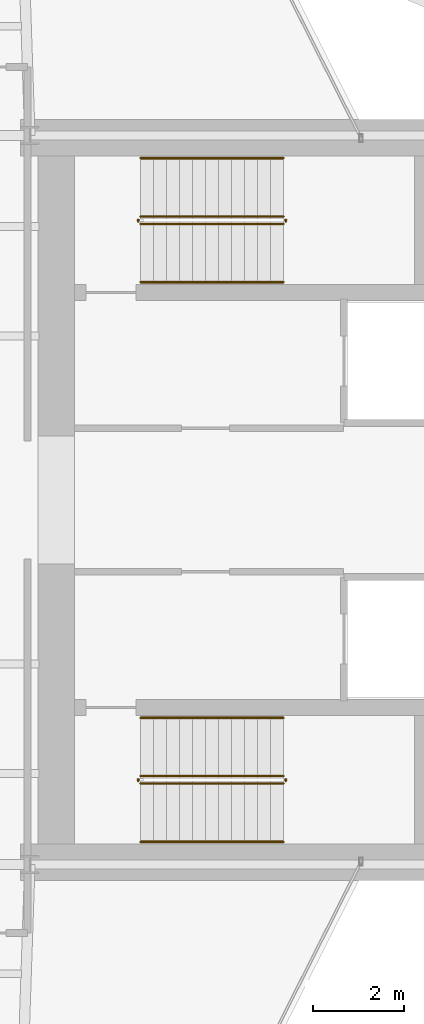
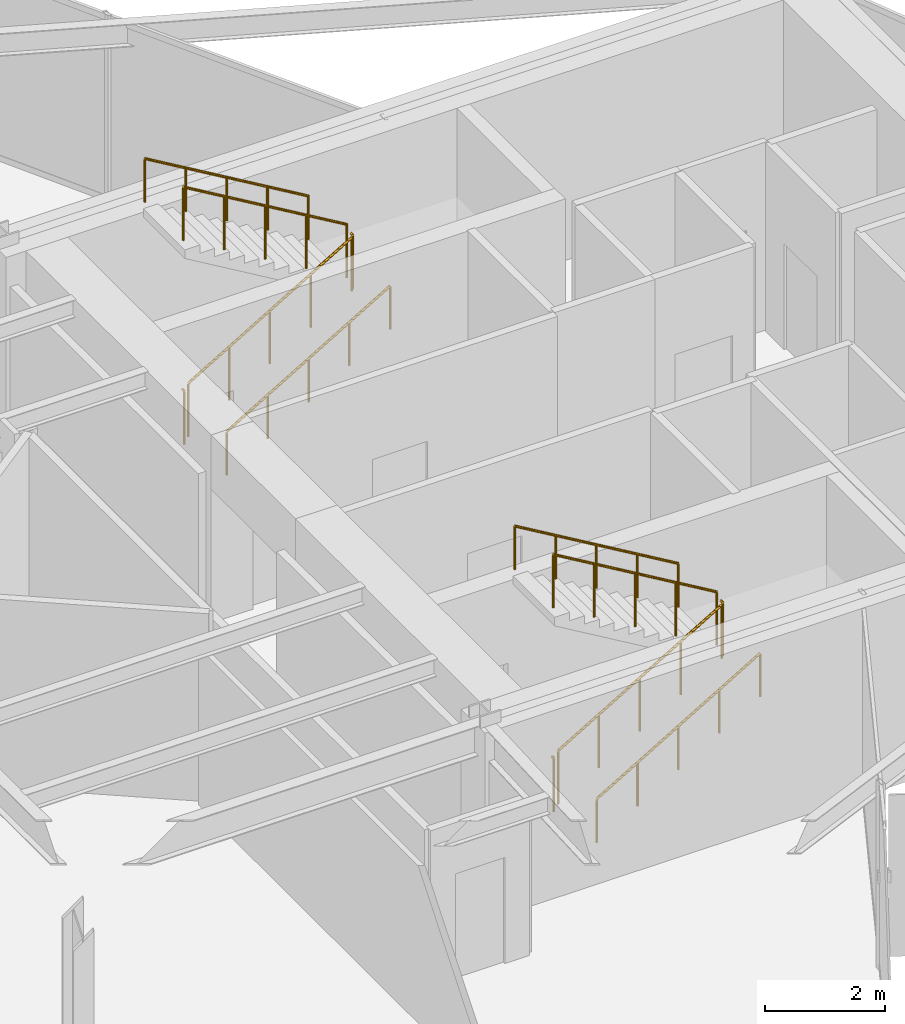
# One storey, part 25 of 25: 12 railings.
"""IFC4 building model written with IfcOpenShell, lengths in metres."""

from ifc_helpers import new_model, si_unit, direction, frame, origin, origin_2d, place, context, subcontext, project, spatial, circle, extrude, material, type_object, element, save


model = new_model("IFC4")

# Units and contexts
model_context = context("Model", 3, precision=1e-05, world=origin(), true_north=direction((0.0, 1.0)))
body_context = subcontext(model_context, "Body", "Model", "MODEL_VIEW")
ifc_project = project(units=[si_unit("LENGTHUNIT", "METRE"), si_unit("AREAUNIT", "SQUARE_METRE"), si_unit("VOLUMEUNIT", "CUBIC_METRE"), si_unit("PLANEANGLEUNIT", "RADIAN"), si_unit("MASSUNIT", "GRAM", prefix="KILO")], contexts=[model_context])

# Site, building, storey
site_placement = place(None, origin())
site = spatial("IfcSite", under=ifc_project, at=site_placement, CompositionType="ELEMENT")
building_placement = place(site_placement, origin())
building = spatial("IfcBuilding", under=site, at=building_placement, Name="Veymaron Broadcast Tower", CompositionType="ELEMENT")
storey_placement = place(building_placement, frame((0.0, 0.0, 129.0)))
storey = spatial("IfcBuildingStorey", under=building, at=storey_placement, Name="L29", CompositionType="ELEMENT", Elevation=129.0)

# Railings
ifc_material_1 = material(Name="Brushed stainless steel AISI 304", Category="steel")
railing_type_1 = type_object("IfcRailingType", Name="RAIL-STAIR-HR", PredefinedType="HANDRAIL", material=ifc_material_1)
railing_1_placement = place(storey_placement, frame((41.429931640625, 28.780029296875, 0.168701171875)))
element("IfcRailing", 1, at=railing_1_placement, inside=storey, type_object=railing_type_1, Name="L29 ST1 stair handrail 1", PredefinedType="HANDRAIL", context=body_context, shape_type="SweptSolid", body=[
    extrude(circle(Radius=0.02392578125, at=origin_2d()), frame((0.0, 0.0, 0.8759765625), z_axis=(0.860481960309, 0.0, 0.509480908359), x_axis=(0.0, 1.0, 0.0)), (0.0, 0.0, 1.0), 3.643310546875),
    extrude(circle(Radius=0.02099609375, at=origin_2d()), origin(), (0.0, 0.0, 1.0), 0.851806640625),
    extrude(circle(Radius=0.02099609375, at=origin_2d()), frame((0.78369140625, 0.0, 0.464111328125)), (0.0, 0.0, 1.0), 0.851806640625),
    extrude(circle(Radius=0.02099609375, at=origin_2d()), frame((1.5673828125, 0.0, 0.92822265625)), (0.0, 0.0, 1.0), 0.851806640625),
    extrude(circle(Radius=0.02099609375, at=origin_2d()), frame((2.351318359375, 0.0, 1.39208984375)), (0.0, 0.0, 1.0), 0.851806640625),
    extrude(circle(Radius=0.02099609375, at=origin_2d()), frame((3.135009765625, 0.0, 1.856201171875)), (0.0, 0.0, 1.0), 0.851806640625),
])
railing_2_placement = place(storey_placement, frame((44.56494140625, 31.5, 2.19384765625)))
element("IfcRailing", 2, at=railing_2_placement, inside=storey, type_object=railing_type_1, Name="L29 ST1 stair handrail 2", PredefinedType="HANDRAIL", context=body_context, shape_type="SweptSolid", body=[
    extrude(circle(Radius=0.02392578125, at=origin_2d()), frame((0.0, 0.0, 0.8759765625), z_axis=(-0.860481960309, 0.0, 0.509480908359), x_axis=(0.0, -1.0, 0.0)), (0.0, 0.0, 1.0), 3.643310546875),
    extrude(circle(Radius=0.02099609375, at=origin_2d()), origin(), (0.0, 0.0, 1.0), 0.851806640625),
    extrude(circle(Radius=0.02099609375, at=origin_2d()), frame((-0.78369140625, 0.0, 0.464111328125)), (0.0, 0.0, 1.0), 0.851806640625),
    extrude(circle(Radius=0.02099609375, at=origin_2d()), frame((-1.5673828125, 0.0, 0.92822265625)), (0.0, 0.0, 1.0), 0.851806640625),
    extrude(circle(Radius=0.02099609375, at=origin_2d()), frame((-2.351318359375, 0.0, 1.39208984375)), (0.0, 0.0, 1.0), 0.851806640625),
    extrude(circle(Radius=0.02099609375, at=origin_2d()), frame((-3.135009765625, 0.0, 1.856201171875)), (0.0, 0.0, 1.0), 0.851806640625),
])
railing_3_placement = place(storey_placement, frame((41.429931640625, 16.5, 0.168701171875)))
element("IfcRailing", 3, at=railing_3_placement, inside=storey, type_object=railing_type_1, Name="L29 ST2 stair handrail 1", PredefinedType="HANDRAIL", context=body_context, shape_type="SweptSolid", body=[
    extrude(circle(Radius=0.02392578125, at=origin_2d()), frame((0.0, 0.0, 0.8759765625), z_axis=(0.860481960309, 0.0, 0.509480908359), x_axis=(0.0, 1.0, 0.0)), (0.0, 0.0, 1.0), 3.643310546875),
    extrude(circle(Radius=0.02099609375, at=origin_2d()), origin(), (0.0, 0.0, 1.0), 0.851806640625),
    extrude(circle(Radius=0.02099609375, at=origin_2d()), frame((0.78369140625, 0.0, 0.464111328125)), (0.0, 0.0, 1.0), 0.851806640625),
    extrude(circle(Radius=0.02099609375, at=origin_2d()), frame((1.5673828125, 0.0, 0.92822265625)), (0.0, 0.0, 1.0), 0.851806640625),
    extrude(circle(Radius=0.02099609375, at=origin_2d()), frame((2.351318359375, 0.0, 1.39208984375)), (0.0, 0.0, 1.0), 0.851806640625),
    extrude(circle(Radius=0.02099609375, at=origin_2d()), frame((3.135009765625, 0.0, 1.856201171875)), (0.0, 0.0, 1.0), 0.851806640625),
])
railing_4_placement = place(storey_placement, frame((44.56494140625, 19.219970703125, 2.19384765625)))
element("IfcRailing", 4, at=railing_4_placement, inside=storey, type_object=railing_type_1, Name="L29 ST2 stair handrail 2", PredefinedType="HANDRAIL", context=body_context, shape_type="SweptSolid", body=[
    extrude(circle(Radius=0.02392578125, at=origin_2d()), frame((0.0, 0.0, 0.8759765625), z_axis=(-0.860481960309, 0.0, 0.509480908359), x_axis=(0.0, -1.0, 0.0)), (0.0, 0.0, 1.0), 3.643310546875),
    extrude(circle(Radius=0.02099609375, at=origin_2d()), origin(), (0.0, 0.0, 1.0), 0.851806640625),
    extrude(circle(Radius=0.02099609375, at=origin_2d()), frame((-0.78369140625, 0.0, 0.464111328125)), (0.0, 0.0, 1.0), 0.851806640625),
    extrude(circle(Radius=0.02099609375, at=origin_2d()), frame((-1.5673828125, 0.0, 0.92822265625)), (0.0, 0.0, 1.0), 0.851806640625),
    extrude(circle(Radius=0.02099609375, at=origin_2d()), frame((-2.351318359375, 0.0, 1.39208984375)), (0.0, 0.0, 1.0), 0.851806640625),
    extrude(circle(Radius=0.02099609375, at=origin_2d()), frame((-3.135009765625, 0.0, 1.856201171875)), (0.0, 0.0, 1.0), 0.851806640625),
])
ifc_material_2 = material(Name="Painted galvanized steel balustrade", Category="steel")
railing_type_2 = type_object("IfcRailingType", Name="RAIL-WELL-GRD", PredefinedType="GUARDRAIL", material=ifc_material_2)
railing_5_placement = place(storey_placement, frame((41.429931640625, 30.06005859375, 0.168701171875)))
element("IfcRailing", 5, at=railing_5_placement, inside=storey, type_object=railing_type_2, Name="L29 ST1 stair guard 1", PredefinedType="GUARDRAIL", context=body_context, shape_type="SweptSolid", body=[
    extrude(circle(Radius=0.02392578125, at=origin_2d()), frame((0.0, 0.0, 1.076171875), z_axis=(0.860481960309, 0.0, 0.509480908359), x_axis=(0.0, 1.0, 0.0)), (0.0, 0.0, 1.0), 3.643310546875),
    extrude(circle(Radius=0.02099609375, at=origin_2d()), origin(), (0.0, 0.0, 1.0), 1.052001953125),
    extrude(circle(Radius=0.02099609375, at=origin_2d()), frame((0.78369140625, 0.0, 0.464111328125)), (0.0, 0.0, 1.0), 1.052001953125),
    extrude(circle(Radius=0.02099609375, at=origin_2d()), frame((1.5673828125, 0.0, 0.92822265625)), (0.0, 0.0, 1.0), 1.052001953125),
    extrude(circle(Radius=0.02099609375, at=origin_2d()), frame((2.351318359375, 0.0, 1.39208984375)), (0.0, 0.0, 1.0), 1.052001953125),
    extrude(circle(Radius=0.02099609375, at=origin_2d()), frame((3.135009765625, 0.0, 1.856201171875)), (0.0, 0.0, 1.0), 1.052001953125),
])
railing_6_placement = place(storey_placement, frame((44.614990234375, 30.110107421875, 2.02490234375)))
element("IfcRailing", 6, at=railing_6_placement, inside=storey, type_object=railing_type_2, Name="L29 ST1 stair guard 2", PredefinedType="GUARDRAIL", context=body_context, shape_type="SweptSolid", body=[
    extrude(circle(Radius=0.02392578125, at=origin_2d()), frame((0.0, 0.0, 1.076171875), z_axis=(0.0, 1.0, 0.0), x_axis=(-1.0, 0.0, 0.0)), (0.0, 0.0, 1.0), 0.059814453125),
    extrude(circle(Radius=0.02099609375, at=origin_2d()), origin(), (0.0, 0.0, 1.0), 1.052001953125),
])
railing_7_placement = place(storey_placement, frame((44.56494140625, 30.219970703125, 2.19384765625)))
element("IfcRailing", 7, at=railing_7_placement, inside=storey, type_object=railing_type_2, Name="L29 ST1 stair guard 3", PredefinedType="GUARDRAIL", context=body_context, shape_type="SweptSolid", body=[
    extrude(circle(Radius=0.02392578125, at=origin_2d()), frame((0.0, 0.0, 1.076171875), z_axis=(-0.860481960309, 0.0, 0.509480908359), x_axis=(0.0, -1.0, 0.0)), (0.0, 0.0, 1.0), 3.643310546875),
    extrude(circle(Radius=0.02099609375, at=origin_2d()), origin(), (0.0, 0.0, 1.0), 1.052001953125),
    extrude(circle(Radius=0.02099609375, at=origin_2d()), frame((-0.78369140625, 0.0, 0.464111328125)), (0.0, 0.0, 1.0), 1.052001953125),
    extrude(circle(Radius=0.02099609375, at=origin_2d()), frame((-1.5673828125, 0.0, 0.92822265625)), (0.0, 0.0, 1.0), 1.052001953125),
    extrude(circle(Radius=0.02099609375, at=origin_2d()), frame((-2.351318359375, 0.0, 1.39208984375)), (0.0, 0.0, 1.0), 1.052001953125),
    extrude(circle(Radius=0.02099609375, at=origin_2d()), frame((-3.135009765625, 0.0, 1.856201171875)), (0.0, 0.0, 1.0), 1.052001953125),
])
railing_8_placement = place(storey_placement, frame((41.3798828125, 30.110107421875, 0.0)))
element("IfcRailing", 8, at=railing_8_placement, inside=storey, type_object=railing_type_2, Name="L29 ST1 stair guard 4", PredefinedType="GUARDRAIL", context=body_context, shape_type="SweptSolid", body=[
    extrude(circle(Radius=0.02392578125, at=origin_2d()), frame((0.0, 0.0, 1.076171875), z_axis=(0.0, 1.0, 0.0), x_axis=(-1.0, 0.0, 0.0)), (0.0, 0.0, 1.0), 0.059814453125),
    extrude(circle(Radius=0.02099609375, at=origin_2d()), origin(), (0.0, 0.0, 1.0), 1.052001953125),
])
railing_9_placement = place(storey_placement, frame((41.429931640625, 17.780029296875, 0.168701171875)))
element("IfcRailing", 9, at=railing_9_placement, inside=storey, type_object=railing_type_2, Name="L29 ST2 stair guard 1", PredefinedType="GUARDRAIL", context=body_context, shape_type="SweptSolid", body=[
    extrude(circle(Radius=0.02392578125, at=origin_2d()), frame((0.0, 0.0, 1.076171875), z_axis=(0.860481960309, 0.0, 0.509480908359), x_axis=(0.0, 1.0, 0.0)), (0.0, 0.0, 1.0), 3.643310546875),
    extrude(circle(Radius=0.02099609375, at=origin_2d()), origin(), (0.0, 0.0, 1.0), 1.052001953125),
    extrude(circle(Radius=0.02099609375, at=origin_2d()), frame((0.78369140625, 0.0, 0.464111328125)), (0.0, 0.0, 1.0), 1.052001953125),
    extrude(circle(Radius=0.02099609375, at=origin_2d()), frame((1.5673828125, 0.0, 0.92822265625)), (0.0, 0.0, 1.0), 1.052001953125),
    extrude(circle(Radius=0.02099609375, at=origin_2d()), frame((2.351318359375, 0.0, 1.39208984375)), (0.0, 0.0, 1.0), 1.052001953125),
    extrude(circle(Radius=0.02099609375, at=origin_2d()), frame((3.135009765625, 0.0, 1.856201171875)), (0.0, 0.0, 1.0), 1.052001953125),
])
railing_10_placement = place(storey_placement, frame((44.614990234375, 17.830078125, 2.02490234375)))
element("IfcRailing", 10, at=railing_10_placement, inside=storey, type_object=railing_type_2, Name="L29 ST2 stair guard 2", PredefinedType="GUARDRAIL", context=body_context, shape_type="SweptSolid", body=[
    extrude(circle(Radius=0.02392578125, at=origin_2d()), frame((0.0, 0.0, 1.076171875), z_axis=(0.0, 1.0, 0.0), x_axis=(-1.0, 0.0, 0.0)), (0.0, 0.0, 1.0), 0.059814453125),
    extrude(circle(Radius=0.02099609375, at=origin_2d()), origin(), (0.0, 0.0, 1.0), 1.052001953125),
])
railing_11_placement = place(storey_placement, frame((44.56494140625, 17.93994140625, 2.19384765625)))
element("IfcRailing", 11, at=railing_11_placement, inside=storey, type_object=railing_type_2, Name="L29 ST2 stair guard 3", PredefinedType="GUARDRAIL", context=body_context, shape_type="SweptSolid", body=[
    extrude(circle(Radius=0.02392578125, at=origin_2d()), frame((0.0, 0.0, 1.076171875), z_axis=(-0.860481960309, 0.0, 0.509480908359), x_axis=(0.0, -1.0, 0.0)), (0.0, 0.0, 1.0), 3.643310546875),
    extrude(circle(Radius=0.02099609375, at=origin_2d()), origin(), (0.0, 0.0, 1.0), 1.052001953125),
    extrude(circle(Radius=0.02099609375, at=origin_2d()), frame((-0.78369140625, 0.0, 0.464111328125)), (0.0, 0.0, 1.0), 1.052001953125),
    extrude(circle(Radius=0.02099609375, at=origin_2d()), frame((-1.5673828125, 0.0, 0.92822265625)), (0.0, 0.0, 1.0), 1.052001953125),
    extrude(circle(Radius=0.02099609375, at=origin_2d()), frame((-2.351318359375, 0.0, 1.39208984375)), (0.0, 0.0, 1.0), 1.052001953125),
    extrude(circle(Radius=0.02099609375, at=origin_2d()), frame((-3.135009765625, 0.0, 1.856201171875)), (0.0, 0.0, 1.0), 1.052001953125),
])
railing_12_placement = place(storey_placement, frame((41.3798828125, 17.830078125, 0.0)))
element("IfcRailing", 12, at=railing_12_placement, inside=storey, type_object=railing_type_2, Name="L29 ST2 stair guard 4", PredefinedType="GUARDRAIL", context=body_context, shape_type="SweptSolid", body=[
    extrude(circle(Radius=0.02392578125, at=origin_2d()), frame((0.0, 0.0, 1.076171875), z_axis=(0.0, 1.0, 0.0), x_axis=(-1.0, 0.0, 0.0)), (0.0, 0.0, 1.0), 0.059814453125),
    extrude(circle(Radius=0.02099609375, at=origin_2d()), origin(), (0.0, 0.0, 1.0), 1.052001953125),
])

save(model, "model.ifc")
